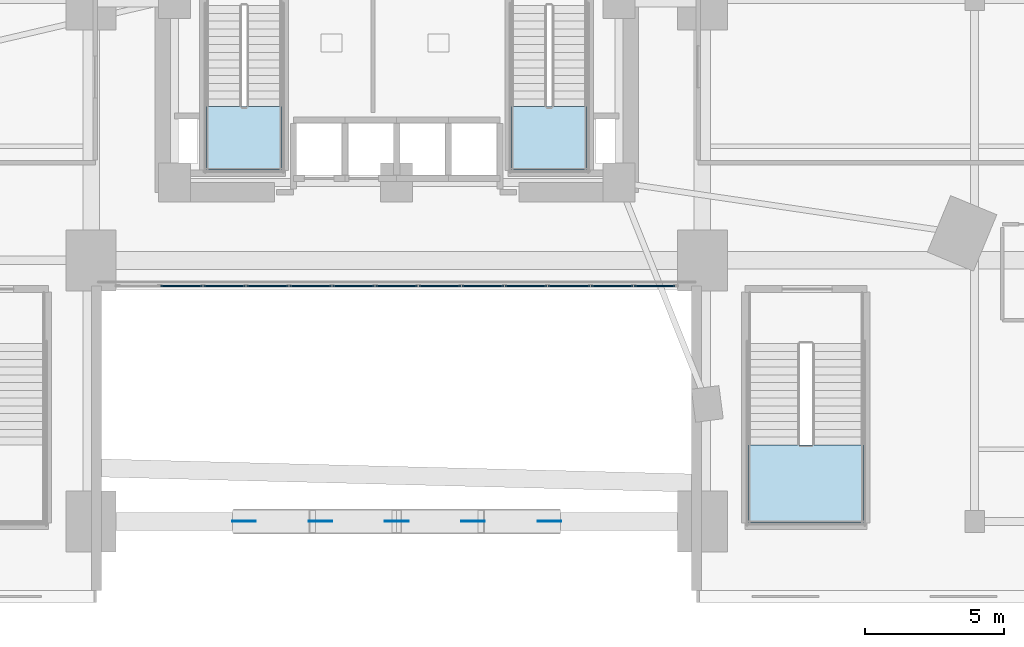
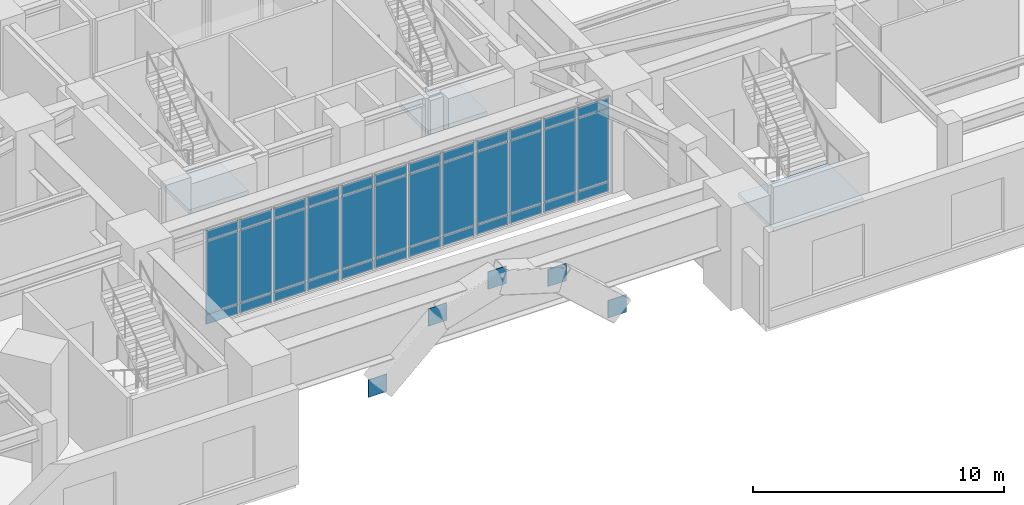
# One storey, part 16 of 25: 41 plates, 3 slabs, 4 elements without a shape of their own.
"""IFC4 building model written with IfcOpenShell, lengths in metres."""

import ifcopenshell
import ifcopenshell.guid

model = None  # the IFC model being written
_history = None  # IfcOwnerHistory: only IFC2X3 demands one
_inside = {}  # id of a spatial element -> (the spatial element, [elements in it])
_under = {}  # id of a project, library or spatial element -> (it, [spatial elements below it])
_declared = {}  # id of a project -> (the project, [libraries it declares])
_typed = {}  # id of a type object -> (the type object, [elements of that type])
_made_of = {}  # id of a material, layer set ... -> (it, [elements and type objects made of it])


def new_model(schema):
    """Start an empty IFC model of exactly this schema.

    Asked for "IFC4X3", IfcOpenShell would pick the latest addendum, in which some entities
    have other attributes; the version numbers below select the first issue.
    IFC2X3 requires an IfcOwnerHistory on every rooted entity: one is made here for all.
    """
    global model, _history
    if schema == "IFC4X3":
        model = ifcopenshell.file(schema_version=(4, 3, 0, 0))
    else:
        model = ifcopenshell.file(schema=schema)
    _inside.clear()
    _under.clear()
    _declared.clear()
    _typed.clear()
    _made_of.clear()
    _history = None
    if model.schema == "IFC2X3":
        org = make("IfcOrganization", Name="unknown")
        user = make(
            "IfcPersonAndOrganization",
            ThePerson=make("IfcPerson", FamilyName="unknown"),
            TheOrganization=org,
        )
        app = make(
            "IfcApplication",
            ApplicationDeveloper=org,
            Version="unknown",
            ApplicationFullName="unknown",
            ApplicationIdentifier="unknown",
        )
        _history = make(
            "IfcOwnerHistory",
            OwningUser=user,
            OwningApplication=app,
            ChangeAction="ADDED",
            CreationDate=0,
        )
    return model


def make(cls, **values):
    """One entity of the class cls with the attributes given. An attribute that is None is left unset."""
    return model.create_entity(
        cls, **{name: value for name, value in values.items() if value is not None}
    )


def rooted(cls, **values):
    """An entity with a GlobalId (a new one), such as an element, a storey or a relation."""
    return make(cls, GlobalId=ifcopenshell.guid.new(), OwnerHistory=_history, **values)


def si_unit(unit_type, name, prefix=None):
    """IfcSIUnit, for example si_unit("LENGTHUNIT", "METRE", prefix="MILLI")."""
    return make("IfcSIUnit", UnitType=unit_type, Prefix=prefix, Name=name)


def assignment(units):
    """IfcUnitAssignment: the units of a project."""
    return None if units is None else make("IfcUnitAssignment", Units=units)


def point(xyz):
    """IfcCartesianPoint."""
    return None if xyz is None else make("IfcCartesianPoint", Coordinates=xyz)


def direction(xyz):
    """IfcDirection."""
    return None if xyz is None else make("IfcDirection", DirectionRatios=xyz)


def frame(location, z_axis=None, x_axis=None):
    """IfcAxis2Placement3D, a coordinate frame: its origin and axes. An axis left out is left unset."""
    return make(
        "IfcAxis2Placement3D",
        Location=point(location),
        Axis=direction(z_axis),
        RefDirection=direction(x_axis),
    )


def frame_2d(location, x_axis=None):
    """IfcAxis2Placement2D, a coordinate frame in the plane: its origin and x axis."""
    return make(
        "IfcAxis2Placement2D", Location=point(location), RefDirection=direction(x_axis)
    )


def origin():
    """The frame at (0, 0, 0) with its axes left unset."""
    return frame((0.0, 0.0, 0.0))


def origin_2d():
    """The frame at (0, 0) in the plane with its x axis left unset."""
    return frame_2d((0.0, 0.0))


def place(relative_to, where):
    """IfcLocalPlacement: puts the frame where relative to a parent placement (None: the world)."""
    return make(
        "IfcLocalPlacement", PlacementRelTo=relative_to, RelativePlacement=where
    )


def context(
    kind, dimensions, precision=None, world=None, true_north=None, identifier=None
):
    """IfcGeometricRepresentationContext, for example the 3D "Model" context."""
    return make(
        "IfcGeometricRepresentationContext",
        ContextIdentifier=identifier,
        ContextType=kind,
        CoordinateSpaceDimension=dimensions,
        Precision=precision,
        WorldCoordinateSystem=world,
        TrueNorth=true_north,
    )


def subcontext(parent, identifier, kind, view, scale=None):
    """IfcGeometricRepresentationSubContext, for example "Body" below "Model"."""
    return make(
        "IfcGeometricRepresentationSubContext",
        ContextIdentifier=identifier,
        ContextType=kind,
        ParentContext=parent,
        TargetScale=scale,
        TargetView=view,
    )


def project(units=None, contexts=None):
    """IfcProject with its units and contexts."""
    return rooted(
        "IfcProject",
        Name="project",
        RepresentationContexts=contexts,
        UnitsInContext=assignment(units),
    )


def spatial(cls, under=None, at=None, **own):
    """A site, building, storey or space (cls), placed at a placement, below another one or the project."""
    s = rooted(cls, ObjectPlacement=at, **own)
    if under is not None:
        _under.setdefault(under.id(), (under, []))[1].append(s)
    return s


def polyline(points):
    """IfcPolyline through the points."""
    return make("IfcPolyline", Points=[point(p) for p in points])


def profile(cls, at=None, kind="AREA", **sizes):
    """A parametric profile (cls). Its sizes go by their IFC names, for example OverallWidth=200.0."""
    return make(cls, ProfileType=kind, Position=at, **sizes)


def rectangle(**sizes):
    """IfcRectangleProfileDef."""
    return profile("IfcRectangleProfileDef", **sizes)


def outline(outer, holes=None, kind="AREA"):
    """IfcArbitraryClosedProfileDef: a profile drawn as a closed curve; with holes, ...WithVoids."""
    if holes is None:
        return make("IfcArbitraryClosedProfileDef", ProfileType=kind, OuterCurve=outer)
    return make(
        "IfcArbitraryProfileDefWithVoids",
        ProfileType=kind,
        OuterCurve=outer,
        InnerCurves=holes,
    )


def extrude(swept, where, along, depth):
    """IfcExtrudedAreaSolid: the profile swept, set in the frame where, extruded along a direction by depth."""
    return make(
        "IfcExtrudedAreaSolid",
        SweptArea=swept,
        Position=where,
        ExtrudedDirection=direction(along),
        Depth=depth,
    )


def shape(context_of_items, identifier, shape_type, items):
    """IfcShapeRepresentation: the items that make up one representation, for example the "Body"."""
    return make(
        "IfcShapeRepresentation",
        ContextOfItems=context_of_items,
        RepresentationIdentifier=identifier,
        RepresentationType=shape_type,
        Items=items,
    )


def material(Name=None, Category=None):
    """IfcMaterial."""
    return make("IfcMaterial", Name=Name, Category=Category)


def layer(
    of_material, thickness, ventilated=None, Name=None, Category=None, Priority=None
):
    """IfcMaterialLayer: one layer of a wall or slab, of a material (None: an air gap)."""
    return make(
        "IfcMaterialLayer",
        Material=of_material,
        LayerThickness=thickness,
        IsVentilated=ventilated,
        Name=Name,
        Category=Category,
        Priority=Priority,
    )


def layer_set(layers, Name=None):
    """IfcMaterialLayerSet."""
    return make("IfcMaterialLayerSet", MaterialLayers=layers, LayerSetName=Name)


def made_of(thing, what):
    """Note that an element or type object is made of a material, layer set ...; save() writes the relation."""
    if what is not None:
        _made_of.setdefault(what.id(), (what, []))[1].append(thing)
    return thing


def type_object(cls, material=None, **own):
    """A type object (cls), such as IfcWallType, which elements share."""
    return made_of(rooted(cls, **own), material)


def element(
    cls,
    number,
    at=None,
    inside=None,
    cuts=None,
    type_object=None,
    material=None,
    context=None,
    identifier="Body",
    shape_type=None,
    held_by="IfcProductDefinitionShape",
    body=None,
    shapes=None,
    **own,
):
    """One element of the class cls, such as IfcWall. Its Tag is "e" and its number.

    at: its placement. inside: the storey or other place that contains it. cuts: it is an
    opening in that element (IfcRelVoidsElement). A single representation is given by context,
    identifier, shape_type and body (its items); several are given by shapes. held_by: the class
    of the entity that holds the representations. save() writes the other relations.
    """
    e = rooted(cls, Tag="e%d" % number, ObjectPlacement=at, **own)
    if body is not None:
        shapes = [shape(context, identifier, shape_type, body)]
    if shapes is not None:
        e.Representation = make(held_by, Representations=shapes)
    if inside is not None:
        _inside.setdefault(inside.id(), (inside, []))[1].append(e)
    if cuts is not None:
        rooted(
            "IfcRelVoidsElement", RelatingBuildingElement=cuts, RelatedOpeningElement=e
        )
    if type_object is not None:
        _typed.setdefault(type_object.id(), (type_object, []))[1].append(e)
    return made_of(e, material)


def aggregate(whole, parts):
    """IfcRelAggregates: a whole, such as a stair, and the parts it consists of."""
    return rooted("IfcRelAggregates", RelatingObject=whole, RelatedObjects=parts)


def save(model, path):
    """Write the relations noted so far, then the file.

    IfcRelAggregates (storeys below a building ...), IfcRelContainedInSpatialStructure (elements
    in a storey), IfcRelDefinesByType, IfcRelAssociatesMaterial and IfcRelDeclares: one each for
    every whole, place, type object, material and project.
    """
    for whole, parts in _under.values():
        aggregate(whole, parts)
    for where, things in _inside.values():
        rooted(
            "IfcRelContainedInSpatialStructure",
            RelatedElements=things,
            RelatingStructure=where,
        )
    for kind, things in _typed.values():
        rooted("IfcRelDefinesByType", RelatedObjects=things, RelatingType=kind)
    for what, things in _made_of.values():
        rooted("IfcRelAssociatesMaterial", RelatedObjects=things, RelatingMaterial=what)
    for by, libraries in _declared.values():
        rooted("IfcRelDeclares", RelatingContext=by, RelatedDefinitions=libraries)
    model.write(path)


model = new_model("IFC4")

# Units and contexts
model_context = context("Model", 3, precision=1e-05, world=origin(), true_north=direction((0.0, 1.0)))
body_context = subcontext(model_context, "Body", "Model", "MODEL_VIEW")
ifc_project = project(units=[si_unit("LENGTHUNIT", "METRE"), si_unit("AREAUNIT", "SQUARE_METRE"), si_unit("VOLUMEUNIT", "CUBIC_METRE"), si_unit("PLANEANGLEUNIT", "RADIAN"), si_unit("MASSUNIT", "GRAM", prefix="KILO")], contexts=[model_context])

# Site, building, storey
site_placement = place(None, origin())
site = spatial("IfcSite", under=ifc_project, at=site_placement, CompositionType="ELEMENT")
building_placement = place(site_placement, origin())
building = spatial("IfcBuilding", under=site, at=building_placement, Name="Ndelora Gate Hotel", CompositionType="ELEMENT")
storey_placement = place(building_placement, frame((0.0, 0.0, 11.0)))
storey = spatial("IfcBuildingStorey", under=building, at=storey_placement, Name="L02", CompositionType="ELEMENT", Elevation=11.0)

# Curtain wall, plates
ifc_material_1 = material(Name="Bronze Anodised Unitised Aluminium and Low-E Glass", Category="aluminium")
ifc_layer_1 = layer(ifc_material_1, 0.239990234375)
ifc_layer_set_1 = layer_set([ifc_layer_1], Name="Bronze Anodised Unitised Aluminium and Low-E Glass")
curtain_wall_type = type_object("IfcCurtainWallType", Name="CW-SYS-1", PredefinedType="NOTDEFINED", material=ifc_layer_set_1)
curtain_wall_placement = place(storey_placement, origin())
curtain_wall = element("IfcCurtainWall", 1, at=curtain_wall_placement, inside=storey, type_object=curtain_wall_type, Name="L02 South Portal Arch Concourse Curtain Wall CW1", PredefinedType="NOTDEFINED")
ifc_material_2 = material(Name="Solar-Control Low-E Insulated Glazing", Category="glass")
ifc_layer_2 = layer(ifc_material_2, 0.048095703125)
ifc_layer_set_2 = layer_set([ifc_layer_2], Name="Solar-Control Low-E Insulated Glazing")
plate_type_1 = type_object("IfcPlateType", Name="PL-CW-GLZ36", PredefinedType="CURTAIN_PANEL", material=ifc_layer_set_2)
plate_1_placement = place(storey_placement, frame((-7.75390625, -10.320068359375, 0.05908203125), z_axis=(0.0, 0.0, 1.0), x_axis=(1.0, 0.0, 0.0)))
plate_1 = element("IfcPlate", 2, at=plate_1_placement, type_object=plate_type_1, Name="CW1 panel 2.1", PredefinedType="CURTAIN_PANEL", context=body_context, shape_type="SweptSolid", body=[
    extrude(rectangle(XDim=1.49267578125, YDim=0.048095703125, at=origin_2d()), origin(), (0.0, 0.0, 1.0), 0.464599609375),
])
plate_2_placement = place(storey_placement, frame((-7.75390625, -10.320068359375, 0.57666015625), z_axis=(0.0, 0.0, 1.0), x_axis=(1.0, 0.0, 0.0)))
plate_2 = element("IfcPlate", 3, at=plate_2_placement, type_object=plate_type_1, Name="CW1 panel 2.2", PredefinedType="CURTAIN_PANEL", context=body_context, shape_type="SweptSolid", body=[
    extrude(rectangle(XDim=1.49267578125, YDim=0.048095703125, at=origin_2d()), origin(), (0.0, 0.0, 1.0), 3.507080078125),
])
plate_3_placement = place(storey_placement, frame((-7.75390625, -10.320068359375, 4.13623046875), z_axis=(0.0, 0.0, 1.0), x_axis=(1.0, 0.0, 0.0)))
plate_3 = element("IfcPlate", 4, at=plate_3_placement, type_object=plate_type_1, Name="CW1 panel 2.3", PredefinedType="CURTAIN_PANEL", context=body_context, shape_type="SweptSolid", body=[
    extrude(rectangle(XDim=1.49267578125, YDim=0.048095703125, at=origin_2d()), origin(), (0.0, 0.0, 1.0), 0.464599609375),
])
plate_4_placement = place(storey_placement, frame((-6.203125, -10.320068359375, 0.05908203125), z_axis=(0.0, 0.0, 1.0), x_axis=(1.0, 0.0, 0.0)))
plate_4 = element("IfcPlate", 5, at=plate_4_placement, type_object=plate_type_1, Name="CW1 panel 3.1", PredefinedType="CURTAIN_PANEL", context=body_context, shape_type="SweptSolid", body=[
    extrude(rectangle(XDim=1.49267578125, YDim=0.048095703125, at=origin_2d()), origin(), (0.0, 0.0, 1.0), 0.464599609375),
])
plate_5_placement = place(storey_placement, frame((-6.203125, -10.320068359375, 0.57666015625), z_axis=(0.0, 0.0, 1.0), x_axis=(1.0, 0.0, 0.0)))
plate_5 = element("IfcPlate", 6, at=plate_5_placement, type_object=plate_type_1, Name="CW1 panel 3.2", PredefinedType="CURTAIN_PANEL", context=body_context, shape_type="SweptSolid", body=[
    extrude(rectangle(XDim=1.49267578125, YDim=0.048095703125, at=origin_2d()), origin(), (0.0, 0.0, 1.0), 3.507080078125),
])
plate_6_placement = place(storey_placement, frame((-6.203125, -10.320068359375, 4.13623046875), z_axis=(0.0, 0.0, 1.0), x_axis=(1.0, 0.0, 0.0)))
plate_6 = element("IfcPlate", 7, at=plate_6_placement, type_object=plate_type_1, Name="CW1 panel 3.3", PredefinedType="CURTAIN_PANEL", context=body_context, shape_type="SweptSolid", body=[
    extrude(rectangle(XDim=1.49267578125, YDim=0.048095703125, at=origin_2d()), origin(), (0.0, 0.0, 1.0), 0.464599609375),
])
plate_7_placement = place(storey_placement, frame((-4.65234375, -10.320068359375, 0.05908203125), z_axis=(0.0, 0.0, 1.0), x_axis=(1.0, 0.0, 0.0)))
plate_7 = element("IfcPlate", 8, at=plate_7_placement, type_object=plate_type_1, Name="CW1 panel 4.1", PredefinedType="CURTAIN_PANEL", context=body_context, shape_type="SweptSolid", body=[
    extrude(rectangle(XDim=1.49267578125, YDim=0.048095703125, at=origin_2d()), origin(), (0.0, 0.0, 1.0), 0.464599609375),
])
plate_8_placement = place(storey_placement, frame((-4.65234375, -10.320068359375, 0.57666015625), z_axis=(0.0, 0.0, 1.0), x_axis=(1.0, 0.0, 0.0)))
plate_8 = element("IfcPlate", 9, at=plate_8_placement, type_object=plate_type_1, Name="CW1 panel 4.2", PredefinedType="CURTAIN_PANEL", context=body_context, shape_type="SweptSolid", body=[
    extrude(rectangle(XDim=1.49267578125, YDim=0.048095703125, at=origin_2d()), origin(), (0.0, 0.0, 1.0), 3.507080078125),
])
plate_9_placement = place(storey_placement, frame((-4.65234375, -10.320068359375, 4.13623046875), z_axis=(0.0, 0.0, 1.0), x_axis=(1.0, 0.0, 0.0)))
plate_9 = element("IfcPlate", 10, at=plate_9_placement, type_object=plate_type_1, Name="CW1 panel 4.3", PredefinedType="CURTAIN_PANEL", context=body_context, shape_type="SweptSolid", body=[
    extrude(rectangle(XDim=1.49267578125, YDim=0.048095703125, at=origin_2d()), origin(), (0.0, 0.0, 1.0), 0.464599609375),
])
plate_10_placement = place(storey_placement, frame((-3.1015625, -10.320068359375, 0.05908203125), z_axis=(0.0, 0.0, 1.0), x_axis=(1.0, 0.0, 0.0)))
plate_10 = element("IfcPlate", 11, at=plate_10_placement, type_object=plate_type_1, Name="CW1 panel 5.1", PredefinedType="CURTAIN_PANEL", context=body_context, shape_type="SweptSolid", body=[
    extrude(rectangle(XDim=1.49267578125, YDim=0.048095703125, at=origin_2d()), origin(), (0.0, 0.0, 1.0), 0.464599609375),
])
plate_11_placement = place(storey_placement, frame((-3.1015625, -10.320068359375, 0.57666015625), z_axis=(0.0, 0.0, 1.0), x_axis=(1.0, 0.0, 0.0)))
plate_11 = element("IfcPlate", 12, at=plate_11_placement, type_object=plate_type_1, Name="CW1 panel 5.2", PredefinedType="CURTAIN_PANEL", context=body_context, shape_type="SweptSolid", body=[
    extrude(rectangle(XDim=1.49267578125, YDim=0.048095703125, at=origin_2d()), origin(), (0.0, 0.0, 1.0), 3.507080078125),
])
plate_12_placement = place(storey_placement, frame((-3.1015625, -10.320068359375, 4.13623046875), z_axis=(0.0, 0.0, 1.0), x_axis=(1.0, 0.0, 0.0)))
plate_12 = element("IfcPlate", 13, at=plate_12_placement, type_object=plate_type_1, Name="CW1 panel 5.3", PredefinedType="CURTAIN_PANEL", context=body_context, shape_type="SweptSolid", body=[
    extrude(rectangle(XDim=1.49267578125, YDim=0.048095703125, at=origin_2d()), origin(), (0.0, 0.0, 1.0), 0.464599609375),
])
plate_13_placement = place(storey_placement, frame((-1.55078125, -10.320068359375, 0.05908203125), z_axis=(0.0, 0.0, 1.0), x_axis=(1.0, 0.0, 0.0)))
plate_13 = element("IfcPlate", 14, at=plate_13_placement, type_object=plate_type_1, Name="CW1 panel 6.1", PredefinedType="CURTAIN_PANEL", context=body_context, shape_type="SweptSolid", body=[
    extrude(rectangle(XDim=1.49267578125, YDim=0.048095703125, at=origin_2d()), origin(), (0.0, 0.0, 1.0), 0.464599609375),
])
plate_14_placement = place(storey_placement, frame((-1.55078125, -10.320068359375, 0.57666015625), z_axis=(0.0, 0.0, 1.0), x_axis=(1.0, 0.0, 0.0)))
plate_14 = element("IfcPlate", 15, at=plate_14_placement, type_object=plate_type_1, Name="CW1 panel 6.2", PredefinedType="CURTAIN_PANEL", context=body_context, shape_type="SweptSolid", body=[
    extrude(rectangle(XDim=1.49267578125, YDim=0.048095703125, at=origin_2d()), origin(), (0.0, 0.0, 1.0), 3.507080078125),
])
plate_15_placement = place(storey_placement, frame((-1.55078125, -10.320068359375, 4.13623046875), z_axis=(0.0, 0.0, 1.0), x_axis=(1.0, 0.0, 0.0)))
plate_15 = element("IfcPlate", 16, at=plate_15_placement, type_object=plate_type_1, Name="CW1 panel 6.3", PredefinedType="CURTAIN_PANEL", context=body_context, shape_type="SweptSolid", body=[
    extrude(rectangle(XDim=1.49267578125, YDim=0.048095703125, at=origin_2d()), origin(), (0.0, 0.0, 1.0), 0.464599609375),
])
plate_16_placement = place(storey_placement, frame((0.0, -10.320068359375, 0.05908203125), z_axis=(0.0, 0.0, 1.0), x_axis=(1.0, 0.0, 0.0)))
plate_16 = element("IfcPlate", 17, at=plate_16_placement, type_object=plate_type_1, Name="CW1 panel 7.1", PredefinedType="CURTAIN_PANEL", context=body_context, shape_type="SweptSolid", body=[
    extrude(rectangle(XDim=1.49267578125, YDim=0.048095703125, at=origin_2d()), origin(), (0.0, 0.0, 1.0), 0.464599609375),
])
plate_17_placement = place(storey_placement, frame((0.0, -10.320068359375, 0.57666015625), z_axis=(0.0, 0.0, 1.0), x_axis=(1.0, 0.0, 0.0)))
plate_17 = element("IfcPlate", 18, at=plate_17_placement, type_object=plate_type_1, Name="CW1 panel 7.2", PredefinedType="CURTAIN_PANEL", context=body_context, shape_type="SweptSolid", body=[
    extrude(rectangle(XDim=1.49267578125, YDim=0.048095703125, at=origin_2d()), origin(), (0.0, 0.0, 1.0), 3.507080078125),
])
plate_18_placement = place(storey_placement, frame((0.0, -10.320068359375, 4.13623046875), z_axis=(0.0, 0.0, 1.0), x_axis=(1.0, 0.0, 0.0)))
plate_18 = element("IfcPlate", 19, at=plate_18_placement, type_object=plate_type_1, Name="CW1 panel 7.3", PredefinedType="CURTAIN_PANEL", context=body_context, shape_type="SweptSolid", body=[
    extrude(rectangle(XDim=1.49267578125, YDim=0.048095703125, at=origin_2d()), origin(), (0.0, 0.0, 1.0), 0.464599609375),
])
plate_19_placement = place(storey_placement, frame((1.55078125, -10.320068359375, 0.05908203125), z_axis=(0.0, 0.0, 1.0), x_axis=(1.0, 0.0, 0.0)))
plate_19 = element("IfcPlate", 20, at=plate_19_placement, type_object=plate_type_1, Name="CW1 panel 8.1", PredefinedType="CURTAIN_PANEL", context=body_context, shape_type="SweptSolid", body=[
    extrude(rectangle(XDim=1.49267578125, YDim=0.048095703125, at=origin_2d()), origin(), (0.0, 0.0, 1.0), 0.464599609375),
])
plate_20_placement = place(storey_placement, frame((1.55078125, -10.320068359375, 0.57666015625), z_axis=(0.0, 0.0, 1.0), x_axis=(1.0, 0.0, 0.0)))
plate_20 = element("IfcPlate", 21, at=plate_20_placement, type_object=plate_type_1, Name="CW1 panel 8.2", PredefinedType="CURTAIN_PANEL", context=body_context, shape_type="SweptSolid", body=[
    extrude(rectangle(XDim=1.49267578125, YDim=0.048095703125, at=origin_2d()), origin(), (0.0, 0.0, 1.0), 3.507080078125),
])
plate_21_placement = place(storey_placement, frame((1.55078125, -10.320068359375, 4.13623046875), z_axis=(0.0, 0.0, 1.0), x_axis=(1.0, 0.0, 0.0)))
plate_21 = element("IfcPlate", 22, at=plate_21_placement, type_object=plate_type_1, Name="CW1 panel 8.3", PredefinedType="CURTAIN_PANEL", context=body_context, shape_type="SweptSolid", body=[
    extrude(rectangle(XDim=1.49267578125, YDim=0.048095703125, at=origin_2d()), origin(), (0.0, 0.0, 1.0), 0.464599609375),
])
plate_22_placement = place(storey_placement, frame((3.1015625, -10.320068359375, 0.05908203125), z_axis=(0.0, 0.0, 1.0), x_axis=(1.0, 0.0, 0.0)))
plate_22 = element("IfcPlate", 23, at=plate_22_placement, type_object=plate_type_1, Name="CW1 panel 9.1", PredefinedType="CURTAIN_PANEL", context=body_context, shape_type="SweptSolid", body=[
    extrude(rectangle(XDim=1.49267578125, YDim=0.048095703125, at=origin_2d()), origin(), (0.0, 0.0, 1.0), 0.464599609375),
])
plate_23_placement = place(storey_placement, frame((3.1015625, -10.320068359375, 0.57666015625), z_axis=(0.0, 0.0, 1.0), x_axis=(1.0, 0.0, 0.0)))
plate_23 = element("IfcPlate", 24, at=plate_23_placement, type_object=plate_type_1, Name="CW1 panel 9.2", PredefinedType="CURTAIN_PANEL", context=body_context, shape_type="SweptSolid", body=[
    extrude(rectangle(XDim=1.49267578125, YDim=0.048095703125, at=origin_2d()), origin(), (0.0, 0.0, 1.0), 3.507080078125),
])
plate_24_placement = place(storey_placement, frame((3.1015625, -10.320068359375, 4.13623046875), z_axis=(0.0, 0.0, 1.0), x_axis=(1.0, 0.0, 0.0)))
plate_24 = element("IfcPlate", 25, at=plate_24_placement, type_object=plate_type_1, Name="CW1 panel 9.3", PredefinedType="CURTAIN_PANEL", context=body_context, shape_type="SweptSolid", body=[
    extrude(rectangle(XDim=1.49267578125, YDim=0.048095703125, at=origin_2d()), origin(), (0.0, 0.0, 1.0), 0.464599609375),
])
plate_25_placement = place(storey_placement, frame((4.65234375, -10.320068359375, 0.05908203125), z_axis=(0.0, 0.0, 1.0), x_axis=(1.0, 0.0, 0.0)))
plate_25 = element("IfcPlate", 26, at=plate_25_placement, type_object=plate_type_1, Name="CW1 panel 10.1", PredefinedType="CURTAIN_PANEL", context=body_context, shape_type="SweptSolid", body=[
    extrude(rectangle(XDim=1.49267578125, YDim=0.048095703125, at=origin_2d()), origin(), (0.0, 0.0, 1.0), 0.464599609375),
])
plate_26_placement = place(storey_placement, frame((4.65234375, -10.320068359375, 0.57666015625), z_axis=(0.0, 0.0, 1.0), x_axis=(1.0, 0.0, 0.0)))
plate_26 = element("IfcPlate", 27, at=plate_26_placement, type_object=plate_type_1, Name="CW1 panel 10.2", PredefinedType="CURTAIN_PANEL", context=body_context, shape_type="SweptSolid", body=[
    extrude(rectangle(XDim=1.49267578125, YDim=0.048095703125, at=origin_2d()), origin(), (0.0, 0.0, 1.0), 3.507080078125),
])
plate_27_placement = place(storey_placement, frame((4.65234375, -10.320068359375, 4.13623046875), z_axis=(0.0, 0.0, 1.0), x_axis=(1.0, 0.0, 0.0)))
plate_27 = element("IfcPlate", 28, at=plate_27_placement, type_object=plate_type_1, Name="CW1 panel 10.3", PredefinedType="CURTAIN_PANEL", context=body_context, shape_type="SweptSolid", body=[
    extrude(rectangle(XDim=1.49267578125, YDim=0.048095703125, at=origin_2d()), origin(), (0.0, 0.0, 1.0), 0.464599609375),
])
plate_28_placement = place(storey_placement, frame((6.203125, -10.320068359375, 0.05908203125), z_axis=(0.0, 0.0, 1.0), x_axis=(1.0, 0.0, 0.0)))
plate_28 = element("IfcPlate", 29, at=plate_28_placement, type_object=plate_type_1, Name="CW1 panel 11.1", PredefinedType="CURTAIN_PANEL", context=body_context, shape_type="SweptSolid", body=[
    extrude(rectangle(XDim=1.49267578125, YDim=0.048095703125, at=origin_2d()), origin(), (0.0, 0.0, 1.0), 0.464599609375),
])
plate_29_placement = place(storey_placement, frame((6.203125, -10.320068359375, 0.57666015625), z_axis=(0.0, 0.0, 1.0), x_axis=(1.0, 0.0, 0.0)))
plate_29 = element("IfcPlate", 30, at=plate_29_placement, type_object=plate_type_1, Name="CW1 panel 11.2", PredefinedType="CURTAIN_PANEL", context=body_context, shape_type="SweptSolid", body=[
    extrude(rectangle(XDim=1.49267578125, YDim=0.048095703125, at=origin_2d()), origin(), (0.0, 0.0, 1.0), 3.507080078125),
])
plate_30_placement = place(storey_placement, frame((6.203125, -10.320068359375, 4.13623046875), z_axis=(0.0, 0.0, 1.0), x_axis=(1.0, 0.0, 0.0)))
plate_30 = element("IfcPlate", 31, at=plate_30_placement, type_object=plate_type_1, Name="CW1 panel 11.3", PredefinedType="CURTAIN_PANEL", context=body_context, shape_type="SweptSolid", body=[
    extrude(rectangle(XDim=1.49267578125, YDim=0.048095703125, at=origin_2d()), origin(), (0.0, 0.0, 1.0), 0.464599609375),
])
plate_31_placement = place(storey_placement, frame((7.75390625, -10.320068359375, 0.05908203125), z_axis=(0.0, 0.0, 1.0), x_axis=(1.0, 0.0, 0.0)))
plate_31 = element("IfcPlate", 32, at=plate_31_placement, type_object=plate_type_1, Name="CW1 panel 12.1", PredefinedType="CURTAIN_PANEL", context=body_context, shape_type="SweptSolid", body=[
    extrude(rectangle(XDim=1.49267578125, YDim=0.048095703125, at=origin_2d()), origin(), (0.0, 0.0, 1.0), 0.464599609375),
])
plate_32_placement = place(storey_placement, frame((7.75390625, -10.320068359375, 0.57666015625), z_axis=(0.0, 0.0, 1.0), x_axis=(1.0, 0.0, 0.0)))
plate_32 = element("IfcPlate", 33, at=plate_32_placement, type_object=plate_type_1, Name="CW1 panel 12.2", PredefinedType="CURTAIN_PANEL", context=body_context, shape_type="SweptSolid", body=[
    extrude(rectangle(XDim=1.49267578125, YDim=0.048095703125, at=origin_2d()), origin(), (0.0, 0.0, 1.0), 3.507080078125),
])
plate_33_placement = place(storey_placement, frame((7.75390625, -10.320068359375, 4.13623046875), z_axis=(0.0, 0.0, 1.0), x_axis=(1.0, 0.0, 0.0)))
plate_33 = element("IfcPlate", 34, at=plate_33_placement, type_object=plate_type_1, Name="CW1 panel 12.3", PredefinedType="CURTAIN_PANEL", context=body_context, shape_type="SweptSolid", body=[
    extrude(rectangle(XDim=1.49267578125, YDim=0.048095703125, at=origin_2d()), origin(), (0.0, 0.0, 1.0), 0.464599609375),
])
plate_34_placement = place(storey_placement, frame((9.287109375, -10.320068359375, 0.05908203125), z_axis=(0.0, 0.0, 1.0), x_axis=(1.0, 0.0, 0.0)))
plate_34 = element("IfcPlate", 35, at=plate_34_placement, type_object=plate_type_1, Name="CW1 panel 13.1", PredefinedType="CURTAIN_PANEL", context=body_context, shape_type="SweptSolid", body=[
    extrude(rectangle(XDim=1.457763671875, YDim=0.048095703125, at=origin_2d()), origin(), (0.0, 0.0, 1.0), 0.464599609375),
])
plate_35_placement = place(storey_placement, frame((9.287109375, -10.320068359375, 0.57666015625), z_axis=(0.0, 0.0, 1.0), x_axis=(1.0, 0.0, 0.0)))
plate_35 = element("IfcPlate", 36, at=plate_35_placement, type_object=plate_type_1, Name="CW1 panel 13.2", PredefinedType="CURTAIN_PANEL", context=body_context, shape_type="SweptSolid", body=[
    extrude(rectangle(XDim=1.457763671875, YDim=0.048095703125, at=origin_2d()), origin(), (0.0, 0.0, 1.0), 3.507080078125),
])
plate_36_placement = place(storey_placement, frame((9.287109375, -10.320068359375, 4.13623046875), z_axis=(0.0, 0.0, 1.0), x_axis=(1.0, 0.0, 0.0)))
plate_36 = element("IfcPlate", 37, at=plate_36_placement, type_object=plate_type_1, Name="CW1 panel 13.3", PredefinedType="CURTAIN_PANEL", context=body_context, shape_type="SweptSolid", body=[
    extrude(rectangle(XDim=1.457763671875, YDim=0.048095703125, at=origin_2d()), origin(), (0.0, 0.0, 1.0), 0.464599609375),
])
aggregate(curtain_wall, [plate_1, plate_2, plate_3, plate_4, plate_5, plate_6, plate_7, plate_8, plate_9, plate_10, plate_11, plate_12, plate_13, plate_14, plate_15, plate_16, plate_17, plate_18, plate_19, plate_20, plate_21, plate_22, plate_23, plate_24, plate_25, plate_26, plate_27, plate_28, plate_29, plate_30, plate_31, plate_32, plate_33, plate_34, plate_35, plate_36])

# Plates
ifc_material_3 = material(Name="Steel S460", Category="steel")
ifc_layer_3 = layer(ifc_material_3, 0.035888671875)
ifc_layer_set_3 = layer_set([ifc_layer_3], Name="Steel S460")
plate_type_2 = type_object("IfcPlateType", Name="PL-NODE-AN2", PredefinedType="USERDEFINED", material=ifc_layer_set_3)
for number, where, z_axis, x_axis, name in (
    (38, (-5.5, -18.800048828125, 0.75), (0.0, 0.0, 1.0), (1.0, 0.0, 0.0), "Node gusset cap plate AN2"),
    (39, (-2.75, -18.800048828125, 3.24365234375), (0.0, 0.0, 1.0), (1.0, 0.0, 0.0), "Node gusset cap plate AN2"),
    (40, (0.0, -18.800048828125, 4.074951171875), (0.0, 0.0, 1.0), (1.0, 0.0, 0.0), "Node gusset cap plate AN2"),
    (41, (2.75, -18.800048828125, 3.24365234375), (0.0, 0.0, 1.0), (1.0, 0.0, 0.0), "Node gusset cap plate AN2"),
    (42, (5.5, -18.800048828125, 0.75), (0.0, 0.0, 1.0), (1.0, 0.0, 0.0), "Node gusset cap plate AN2"),
):
    element("IfcPlate", number, at=place(storey_placement, frame(where, z_axis=z_axis, x_axis=x_axis)), inside=storey, type_object=plate_type_2, Name=name, ObjectType="GUSSET_PLATE", PredefinedType="USERDEFINED", context=body_context, shape_type="SweptSolid", body=[
        extrude(rectangle(XDim=0.85009765625, YDim=0.035888671875, at=origin_2d()), origin(), (0.0, 0.0, 1.0), 0.85009765625),
    ])

# Stair, slab
ifc_material_4 = material(Name="Precast concrete C40/50", Category="concrete")
stair_type_1 = type_object("IfcStairType", Name="STR-DOG-CORE", PredefinedType="HALF_TURN_STAIR", material=ifc_material_4)
stair_1_placement = place(storey_placement, origin())
stair_1 = element("IfcStair", 43, at=stair_1_placement, inside=storey, type_object=stair_type_1, Name="L02 Protected Core Exit Stair ST4", PredefinedType="HALF_TURN_STAIR")
ifc_layer_4 = layer(ifc_material_4, 0.219970703125)
ifc_layer_set_4 = layer_set([ifc_layer_4], Name="Precast concrete C40/50")
slab_type = type_object("IfcSlabType", Name="SL-LAND-220", PredefinedType="LANDING", material=ifc_layer_set_4)
slab_1_placement = place(storey_placement, frame((0.0, 0.0, 2.300048828125)))
slab_1 = element("IfcSlab", 44, at=slab_1_placement, type_object=slab_type, Name="ST4 landing 1", PredefinedType="LANDING", context=body_context, shape_type="SweptSolid", body=[
    extrude(outline(polyline([(-6.85009765625, -3.8701171875), (-6.85009765625, -6.14990234375), (-4.1298828125, -6.14990234375), (-4.1298828125, -3.8701171875), (-6.85009765625, -3.8701171875)])), origin(), (0.0, 0.0, 1.0), 0.199951171875),
])
aggregate(stair_1, [slab_1])

stair_2_placement = place(storey_placement, origin())
stair_2 = element("IfcStair", 45, at=stair_2_placement, inside=storey, type_object=stair_type_1, Name="L02 Protected Core Exit Stair ST5", PredefinedType="HALF_TURN_STAIR")
slab_2_placement = place(storey_placement, frame((0.0, 0.0, 2.300048828125)))
slab_2 = element("IfcSlab", 46, at=slab_2_placement, type_object=slab_type, Name="ST5 landing 1", PredefinedType="LANDING", context=body_context, shape_type="SweptSolid", body=[
    extrude(outline(polyline([(4.1298828125, -3.8701171875), (4.1298828125, -6.14990234375), (6.85009765625, -6.14990234375), (6.85009765625, -3.8701171875), (4.1298828125, -3.8701171875)])), origin(), (0.0, 0.0, 1.0), 0.199951171875),
])
aggregate(stair_2, [slab_2])

stair_type_2 = type_object("IfcStairType", Name="STR-DOG-POD", PredefinedType="HALF_TURN_STAIR", material=ifc_material_4)
stair_3_placement = place(storey_placement, origin())
stair_3 = element("IfcStair", 47, at=stair_3_placement, inside=storey, type_object=stair_type_2, Name="L02 Podium Conference Exit Stair ST3B", PredefinedType="HALF_TURN_STAIR")
slab_3_placement = place(storey_placement, frame((0.0, 0.0, 2.300048828125)))
slab_3 = element("IfcSlab", 48, at=slab_3_placement, type_object=slab_type, Name="ST3B landing 1", PredefinedType="LANDING", context=body_context, shape_type="SweptSolid", body=[
    extrude(outline(polyline([(12.659912109375, -16.0400390625), (12.659912109375, -18.85009765625), (16.800048828125, -18.85009765625), (16.800048828125, -16.0400390625), (12.659912109375, -16.0400390625)])), origin(), (0.0, 0.0, 1.0), 0.199951171875),
])
aggregate(stair_3, [slab_3])

save(model, "model.ifc")
